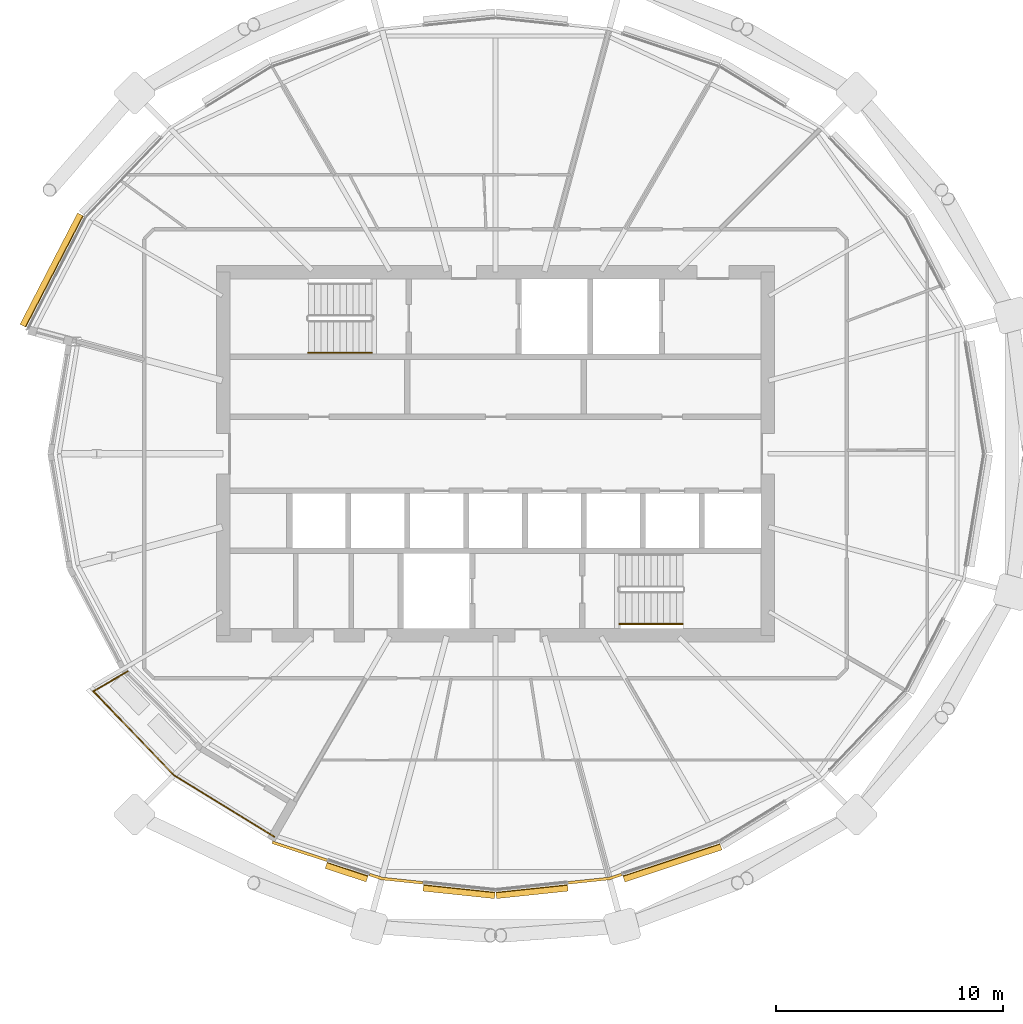
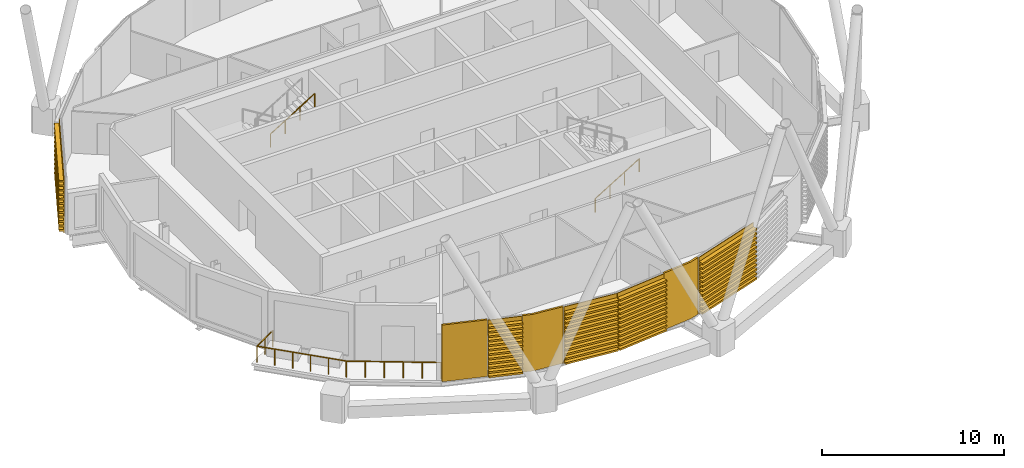
# One storey, part 30 of 36: 8 coverings, 3 railings.
"""IFC4 building model written with IfcOpenShell, lengths in metres."""

from ifc_helpers import new_model, si_unit, direction, frame, origin, origin_2d, place, context, subcontext, project, spatial, polyline, circle, outline, extrude, material, layer, layer_set, material_profile, profile_set, type_object, element, save


model = new_model("IFC4")

# Units and contexts
model_context = context("Model", 3, precision=1e-05, world=origin(), true_north=direction((0.0, 1.0)))
body_context = subcontext(model_context, "Body", "Model", "MODEL_VIEW")
ifc_project = project(units=[si_unit("LENGTHUNIT", "METRE"), si_unit("AREAUNIT", "SQUARE_METRE"), si_unit("VOLUMEUNIT", "CUBIC_METRE"), si_unit("PLANEANGLEUNIT", "RADIAN"), si_unit("MASSUNIT", "GRAM", prefix="KILO")], contexts=[model_context])

# Site, building, storey
site_placement = place(None, origin())
site = spatial("IfcSite", under=ifc_project, at=site_placement, CompositionType="ELEMENT")
building_placement = place(site_placement, origin())
building = spatial("IfcBuilding", under=site, at=building_placement, Name="Rimbun Link Towers", CompositionType="ELEMENT")
storey_placement = place(building_placement, frame((0.0, 0.0, 193.10009765625)))
storey = spatial("IfcBuildingStorey", under=building, at=storey_placement, Name="L47", CompositionType="ELEMENT", Elevation=193.10009765625)

# Railing
ifc_material_1 = material(Name="Stainless steel grade 316", Category="steel")
railing_type_1 = type_object("IfcRailingType", Name="GUARD stainless rail and posts", PredefinedType="GUARDRAIL", material=ifc_material_1)
railing_placement = place(storey_placement, frame((-47.95849609375, -9.5888671875, 0.0)))
element("IfcRailing", 1, at=railing_placement, inside=storey, type_object=railing_type_1, Name="GUARD", PredefinedType="GUARDRAIL", context=body_context, shape_type="SweptSolid", body=[
    extrude(circle(Radius=0.02392578125, at=origin_2d()), frame((0.0, 0.0, 1.076171875), z_axis=(-0.866038783226, -0.499976825411, 0.0), x_axis=(0.499976825411, -0.866038783226, 0.0)), (0.0, 0.0, 1.0), 1.74462890625),
    extrude(circle(Radius=0.02392578125, at=origin_2d()), frame((-1.510986328125, -0.872314453125, 1.076171875), z_axis=(0.692024642676, -0.721873876746, 0.0), x_axis=(0.721873876746, 0.692024642676, 0.0)), (0.0, 0.0, 1.0), 5.112060546875),
    extrude(circle(Radius=0.02392578125, at=origin_2d()), frame((2.026611328125, -4.5625, 1.076171875), z_axis=(0.852196502407, -0.523221866215, 0.0), x_axis=(0.523221866215, 0.852196502407, 0.0)), (0.0, 0.0, 1.0), 5.21337890625),
    extrude(circle(Radius=0.02099609375, at=origin_2d()), origin(), (0.0, 0.0, 1.0), 1.052001953125),
    extrude(circle(Radius=0.02099609375, at=origin_2d()), frame((-0.75537109375, -0.43603515625, 0.0)), (0.0, 0.0, 1.0), 1.052001953125),
    extrude(circle(Radius=0.02099609375, at=origin_2d()), frame((-1.510986328125, -0.872314453125, 0.0)), (0.0, 0.0, 1.0), 1.052001953125),
    extrude(circle(Radius=0.02099609375, at=origin_2d()), frame((-0.803466796875, -1.6103515625, 0.0)), (0.0, 0.0, 1.0), 1.052001953125),
    extrude(circle(Radius=0.02099609375, at=origin_2d()), frame((-0.095947265625, -2.348388671875, 0.0)), (0.0, 0.0, 1.0), 1.052001953125),
    extrude(circle(Radius=0.02099609375, at=origin_2d()), frame((0.611572265625, -3.08642578125, 0.0)), (0.0, 0.0, 1.0), 1.052001953125),
    extrude(circle(Radius=0.02099609375, at=origin_2d()), frame((1.319091796875, -3.824462890625, 0.0)), (0.0, 0.0, 1.0), 1.052001953125),
    extrude(circle(Radius=0.02099609375, at=origin_2d()), frame((2.026611328125, -4.5625, 0.0)), (0.0, 0.0, 1.0), 1.052001953125),
    extrude(circle(Radius=0.02099609375, at=origin_2d()), frame((2.915283203125, -5.108154296875, 0.0)), (0.0, 0.0, 1.0), 1.052001953125),
    extrude(circle(Radius=0.02099609375, at=origin_2d()), frame((3.8037109375, -5.653564453125, 0.0)), (0.0, 0.0, 1.0), 1.052001953125),
    extrude(circle(Radius=0.02099609375, at=origin_2d()), frame((4.6923828125, -6.19921875, 0.0)), (0.0, 0.0, 1.0), 1.052001953125),
    extrude(circle(Radius=0.02099609375, at=origin_2d()), frame((5.580810546875, -6.74462890625, 0.0)), (0.0, 0.0, 1.0), 1.052001953125),
    extrude(circle(Radius=0.02099609375, at=origin_2d()), frame((6.469482421875, -7.290283203125, 0.0)), (0.0, 0.0, 1.0), 1.052001953125),
])

# Coverings
ifc_material_2 = material(Name="Terracotta", Category="masonry")
ifc_layer = layer(ifc_material_2, 0.1201171875)
ifc_layer_set = layer_set([ifc_layer], Name="LINK PIER terracotta cladding 120")
covering_type_1 = type_object("IfcCoveringType", Name="LINK PIER terracotta cladding 120", PredefinedType="CLADDING", material=ifc_layer_set)
covering_1_placement = place(storey_placement, origin())
element("IfcCovering", 2, at=covering_1_placement, inside=storey, type_object=covering_type_1, Name="LINK PIER cladding", PredefinedType="CLADDING", context=body_context, shape_type="SweptSolid", body=[
    extrude(outline(polyline([(-39.154052734375, -17.858154296875), (-41.565185546875, -17.05908203125), (-41.602783203125, -17.173095703125), (-39.19189453125, -17.971923828125), (-39.154052734375, -17.858154296875)])), origin(), (0.0, 0.0, 1.0), 3.7998046875),
])
covering_2_placement = place(storey_placement, origin())
element("IfcCovering", 3, at=covering_2_placement, inside=storey, type_object=covering_type_1, Name="LINK PIER cladding", PredefinedType="CLADDING", context=body_context, shape_type="SweptSolid", body=[
    extrude(outline(polyline([(-34.938720703125, -18.845947265625), (-36.748779296875, -18.6552734375), (-37.289794921875, -18.475830078125), (-37.327392578125, -18.58984375), (-36.774169921875, -18.773193359375), (-34.951171875, -18.965087890625), (-34.938720703125, -18.845947265625)])), origin(), (0.0, 0.0, 1.0), 3.7998046875),
])
covering_3_placement = place(storey_placement, origin())
element("IfcCovering", 4, at=covering_3_placement, inside=storey, type_object=covering_type_1, Name="LINK PIER cladding", PredefinedType="CLADDING", context=body_context, shape_type="SweptSolid", body=[
    extrude(outline(polyline([(-26.210205078125, -18.475830078125), (-26.751220703125, -18.6552734375), (-28.561279296875, -18.845947265625), (-28.548828125, -18.965087890625), (-26.725830078125, -18.773193359375), (-26.172607421875, -18.58984375), (-26.210205078125, -18.475830078125)])), origin(), (0.0, 0.0, 1.0), 3.7998046875),
])

# Railings
ifc_material_3 = material(Name="Stainless steel grade 316", Category="steel")
railing_type_2 = type_object("IfcRailingType", Name="Stair handrail", PredefinedType="HANDRAIL", material=ifc_material_3)
for number, where, name in (
    (5, (-40.0, 4.449951171875, 2.072509765625), "L47 ST1 stair handrail 2"),
    (6, (-26.300048828125, -7.5, 0.172607421875), "L47 ST2 stair handrail 1"),
):
    element("IfcRailing", number, at=place(storey_placement, frame(where)), inside=storey, type_object=railing_type_2, Name=name, PredefinedType="HANDRAIL", context=body_context, shape_type="SweptSolid", body=[
        extrude(circle(Radius=0.02392578125, at=origin_2d()), frame((0.0, 0.0, 0.8759765625), z_axis=(0.851089632645, 0.0, 0.525020415988), x_axis=(0.0, 1.0, 0.0)), (0.0, 0.0, 1.0), 3.2900390625),
        extrude(circle(Radius=0.02099609375, at=origin_2d()), origin(), (0.0, 0.0, 1.0), 0.851806640625),
        extrude(circle(Radius=0.02099609375, at=origin_2d()), frame((0.933349609375, 0.0, 0.57568359375)), (0.0, 0.0, 1.0), 0.851806640625),
        extrude(circle(Radius=0.02099609375, at=origin_2d()), frame((1.86669921875, 0.0, 1.151611328125)), (0.0, 0.0, 1.0), 0.851806640625),
        extrude(circle(Radius=0.02099609375, at=origin_2d()), frame((2.800048828125, 0.0, 1.727294921875)), (0.0, 0.0, 1.0), 0.851806640625),
    ])

# Coverings
ifc_material_4 = material(Name="Terracotta", Category="masonry")
ifc_material_profile = material_profile(ifc_material_4, outline(polyline([(0.123046875, 0.0), (0.1630859375, 0.0), (0.1630859375, 0.10009765625), (0.423095703125, 0.10009765625), (0.423095703125, 0.219970703125), (0.1630859375, 0.219970703125), (0.1630859375, 0.39990234375), (0.423095703125, 0.39990234375), (0.423095703125, 0.52001953125), (0.1630859375, 0.52001953125), (0.1630859375, 0.699951171875), (0.423095703125, 0.699951171875), (0.423095703125, 0.820068359375), (0.1630859375, 0.820068359375), (0.1630859375, 1.0), (0.423095703125, 1.0), (0.423095703125, 1.1201171875), (0.1630859375, 1.1201171875), (0.1630859375, 1.300048828125), (0.423095703125, 1.300048828125), (0.423095703125, 1.419921875), (0.1630859375, 1.419921875), (0.1630859375, 1.60009765625), (0.423095703125, 1.60009765625), (0.423095703125, 1.719970703125), (0.1630859375, 1.719970703125), (0.1630859375, 1.89990234375), (0.423095703125, 1.89990234375), (0.423095703125, 2.02001953125), (0.1630859375, 2.02001953125), (0.1630859375, 2.199951171875), (0.423095703125, 2.199951171875), (0.423095703125, 2.320068359375), (0.1630859375, 2.320068359375), (0.1630859375, 2.5), (0.423095703125, 2.5), (0.423095703125, 2.6201171875), (0.1630859375, 2.6201171875), (0.1630859375, 2.800048828125), (0.423095703125, 2.800048828125), (0.423095703125, 2.919921875), (0.1630859375, 2.919921875), (0.1630859375, 3.10009765625), (0.423095703125, 3.10009765625), (0.423095703125, 3.219970703125), (0.1630859375, 3.219970703125), (0.1630859375, 3.39990234375), (0.423095703125, 3.39990234375), (0.423095703125, 3.52001953125), (0.1630859375, 3.52001953125), (0.1630859375, 3.800048828125), (0.123046875, 3.800048828125), (0.123046875, 0.0)])), Name="BAGUETTE 120X300")
ifc_profile_set = profile_set([ifc_material_profile], Name="Terracotta")
covering_type_2 = type_object("IfcCoveringType", Name="TERRACOTTA BAGUETTE 120X300 H3800", PredefinedType="CLADDING", material=ifc_profile_set)
covering_4_placement = place(storey_placement, frame((-52.326904296875, 5.513671875, 0.0), z_axis=(0.459591381611, 0.888130487006, 0.0), x_axis=(-0.888130487006, 0.459591381611, 0.0)))
element("IfcCovering", 7, at=covering_4_placement, inside=storey, type_object=covering_type_2, Name="TERRACOTTA BAGUETTE", PredefinedType="CLADDING", context=body_context, shape_type="SweptSolid", body=[
    extrude(outline(polyline([(0.123046875, 0.0), (0.1630859375, 0.0), (0.1630859375, 0.10009765625), (0.423095703125, 0.10009765625), (0.423095703125, 0.219970703125), (0.1630859375, 0.219970703125), (0.1630859375, 0.39990234375), (0.423095703125, 0.39990234375), (0.423095703125, 0.52001953125), (0.1630859375, 0.52001953125), (0.1630859375, 0.699951171875), (0.423095703125, 0.699951171875), (0.423095703125, 0.820068359375), (0.1630859375, 0.820068359375), (0.1630859375, 1.0), (0.423095703125, 1.0), (0.423095703125, 1.1201171875), (0.1630859375, 1.1201171875), (0.1630859375, 1.300048828125), (0.423095703125, 1.300048828125), (0.423095703125, 1.419921875), (0.1630859375, 1.419921875), (0.1630859375, 1.60009765625), (0.423095703125, 1.60009765625), (0.423095703125, 1.719970703125), (0.1630859375, 1.719970703125), (0.1630859375, 1.89990234375), (0.423095703125, 1.89990234375), (0.423095703125, 2.02001953125), (0.1630859375, 2.02001953125), (0.1630859375, 2.199951171875), (0.423095703125, 2.199951171875), (0.423095703125, 2.320068359375), (0.1630859375, 2.320068359375), (0.1630859375, 2.5), (0.423095703125, 2.5), (0.423095703125, 2.6201171875), (0.1630859375, 2.6201171875), (0.1630859375, 2.800048828125), (0.423095703125, 2.800048828125), (0.423095703125, 2.919921875), (0.1630859375, 2.919921875), (0.1630859375, 3.10009765625), (0.423095703125, 3.10009765625), (0.423095703125, 3.219970703125), (0.1630859375, 3.219970703125), (0.1630859375, 3.39990234375), (0.423095703125, 3.39990234375), (0.423095703125, 3.52001953125), (0.1630859375, 3.52001953125), (0.1630859375, 3.800048828125), (0.123046875, 3.800048828125), (0.123046875, 0.0)])), origin(), (0.0, 0.0, 1.0), 5.519287109375),
])
covering_5_placement = place(storey_placement, frame((-37.318359375, -18.466552734375, 0.0), z_axis=(-0.949194989763, 0.314688530786, 0.0), x_axis=(-0.314688530786, -0.949194989763, 0.0)))
element("IfcCovering", 8, at=covering_5_placement, inside=storey, type_object=covering_type_2, Name="TERRACOTTA BAGUETTE", PredefinedType="CLADDING", context=body_context, shape_type="SweptSolid", body=[
    extrude(outline(polyline([(0.123046875, 0.0), (0.1630859375, 0.0), (0.1630859375, 0.10009765625), (0.423095703125, 0.10009765625), (0.423095703125, 0.219970703125), (0.1630859375, 0.219970703125), (0.1630859375, 0.39990234375), (0.423095703125, 0.39990234375), (0.423095703125, 0.52001953125), (0.1630859375, 0.52001953125), (0.1630859375, 0.699951171875), (0.423095703125, 0.699951171875), (0.423095703125, 0.820068359375), (0.1630859375, 0.820068359375), (0.1630859375, 1.0), (0.423095703125, 1.0), (0.423095703125, 1.1201171875), (0.1630859375, 1.1201171875), (0.1630859375, 1.300048828125), (0.423095703125, 1.300048828125), (0.423095703125, 1.419921875), (0.1630859375, 1.419921875), (0.1630859375, 1.60009765625), (0.423095703125, 1.60009765625), (0.423095703125, 1.719970703125), (0.1630859375, 1.719970703125), (0.1630859375, 1.89990234375), (0.423095703125, 1.89990234375), (0.423095703125, 2.02001953125), (0.1630859375, 2.02001953125), (0.1630859375, 2.199951171875), (0.423095703125, 2.199951171875), (0.423095703125, 2.320068359375), (0.1630859375, 2.320068359375), (0.1630859375, 2.5), (0.423095703125, 2.5), (0.423095703125, 2.6201171875), (0.1630859375, 2.6201171875), (0.1630859375, 2.800048828125), (0.423095703125, 2.800048828125), (0.423095703125, 2.919921875), (0.1630859375, 2.919921875), (0.1630859375, 3.10009765625), (0.423095703125, 3.10009765625), (0.423095703125, 3.219970703125), (0.1630859375, 3.219970703125), (0.1630859375, 3.39990234375), (0.423095703125, 3.39990234375), (0.423095703125, 3.52001953125), (0.1630859375, 3.52001953125), (0.1630859375, 3.800048828125), (0.123046875, 3.800048828125), (0.123046875, 0.0)])), origin(), (0.0, 0.0, 1.0), 1.90380859375),
])
for number, where, z_axis, x_axis, name in (
    (9, (-31.75, -19.181640625, 0.0), (-0.994497448106, 0.104760802362, 0.0), (-0.104760802362, -0.994497448106, 0.0), "TERRACOTTA BAGUETTE"),
    (10, (-28.591064453125, -18.848876953125, 0.0), (-0.994497448106, -0.104760802362, 0.0), (0.104760802362, -0.994497448106, 0.0), "TERRACOTTA BAGUETTE"),
):
    element("IfcCovering", number, at=place(storey_placement, frame(where, z_axis=z_axis, x_axis=x_axis)), inside=storey, type_object=covering_type_2, Name=name, PredefinedType="CLADDING", context=body_context, shape_type="SweptSolid", body=[
        extrude(outline(polyline([(0.123046875, 0.0), (0.1630859375, 0.0), (0.1630859375, 0.10009765625), (0.423095703125, 0.10009765625), (0.423095703125, 0.219970703125), (0.1630859375, 0.219970703125), (0.1630859375, 0.39990234375), (0.423095703125, 0.39990234375), (0.423095703125, 0.52001953125), (0.1630859375, 0.52001953125), (0.1630859375, 0.699951171875), (0.423095703125, 0.699951171875), (0.423095703125, 0.820068359375), (0.1630859375, 0.820068359375), (0.1630859375, 1.0), (0.423095703125, 1.0), (0.423095703125, 1.1201171875), (0.1630859375, 1.1201171875), (0.1630859375, 1.300048828125), (0.423095703125, 1.300048828125), (0.423095703125, 1.419921875), (0.1630859375, 1.419921875), (0.1630859375, 1.60009765625), (0.423095703125, 1.60009765625), (0.423095703125, 1.719970703125), (0.1630859375, 1.719970703125), (0.1630859375, 1.89990234375), (0.423095703125, 1.89990234375), (0.423095703125, 2.02001953125), (0.1630859375, 2.02001953125), (0.1630859375, 2.199951171875), (0.423095703125, 2.199951171875), (0.423095703125, 2.320068359375), (0.1630859375, 2.320068359375), (0.1630859375, 2.5), (0.423095703125, 2.5), (0.423095703125, 2.6201171875), (0.1630859375, 2.6201171875), (0.1630859375, 2.800048828125), (0.423095703125, 2.800048828125), (0.423095703125, 2.919921875), (0.1630859375, 2.919921875), (0.1630859375, 3.10009765625), (0.423095703125, 3.10009765625), (0.423095703125, 3.219970703125), (0.1630859375, 3.219970703125), (0.1630859375, 3.39990234375), (0.423095703125, 3.39990234375), (0.423095703125, 3.52001953125), (0.1630859375, 3.52001953125), (0.1630859375, 3.800048828125), (0.123046875, 3.800048828125), (0.123046875, 0.0)])), origin(), (0.0, 0.0, 1.0), 3.176513671875),
    ])
covering_6_placement = place(storey_placement, frame((-21.906494140625, -17.0498046875, 0.0), z_axis=(-0.949234768601, -0.314568520484, 0.0), x_axis=(0.314568520484, -0.949234768601, 0.0)))
element("IfcCovering", 11, at=covering_6_placement, inside=storey, type_object=covering_type_2, Name="TERRACOTTA BAGUETTE", PredefinedType="CLADDING", context=body_context, shape_type="SweptSolid", body=[
    extrude(outline(polyline([(0.123046875, 0.0), (0.1630859375, 0.0), (0.1630859375, 0.10009765625), (0.423095703125, 0.10009765625), (0.423095703125, 0.219970703125), (0.1630859375, 0.219970703125), (0.1630859375, 0.39990234375), (0.423095703125, 0.39990234375), (0.423095703125, 0.52001953125), (0.1630859375, 0.52001953125), (0.1630859375, 0.699951171875), (0.423095703125, 0.699951171875), (0.423095703125, 0.820068359375), (0.1630859375, 0.820068359375), (0.1630859375, 1.0), (0.423095703125, 1.0), (0.423095703125, 1.1201171875), (0.1630859375, 1.1201171875), (0.1630859375, 1.300048828125), (0.423095703125, 1.300048828125), (0.423095703125, 1.419921875), (0.1630859375, 1.419921875), (0.1630859375, 1.60009765625), (0.423095703125, 1.60009765625), (0.423095703125, 1.719970703125), (0.1630859375, 1.719970703125), (0.1630859375, 1.89990234375), (0.423095703125, 1.89990234375), (0.423095703125, 2.02001953125), (0.1630859375, 2.02001953125), (0.1630859375, 2.199951171875), (0.423095703125, 2.199951171875), (0.423095703125, 2.320068359375), (0.1630859375, 2.320068359375), (0.1630859375, 2.5), (0.423095703125, 2.5), (0.423095703125, 2.6201171875), (0.1630859375, 2.6201171875), (0.1630859375, 2.800048828125), (0.423095703125, 2.800048828125), (0.423095703125, 2.919921875), (0.1630859375, 2.919921875), (0.1630859375, 3.10009765625), (0.423095703125, 3.10009765625), (0.423095703125, 3.219970703125), (0.1630859375, 3.219970703125), (0.1630859375, 3.39990234375), (0.423095703125, 3.39990234375), (0.423095703125, 3.52001953125), (0.1630859375, 3.52001953125), (0.1630859375, 3.800048828125), (0.123046875, 3.800048828125), (0.123046875, 0.0)])), origin(), (0.0, 0.0, 1.0), 4.503662109375),
])

save(model, "model.ifc")
